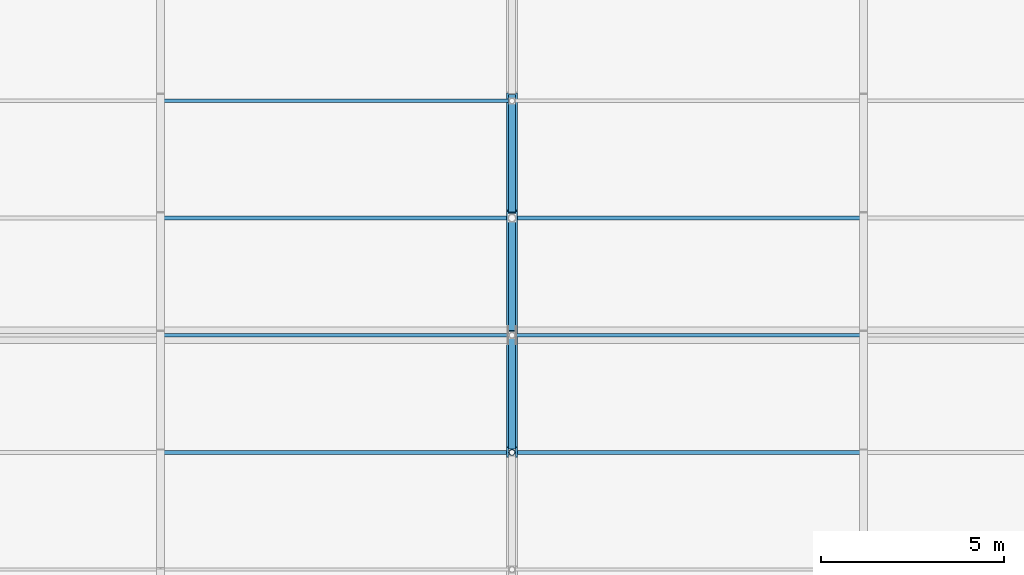
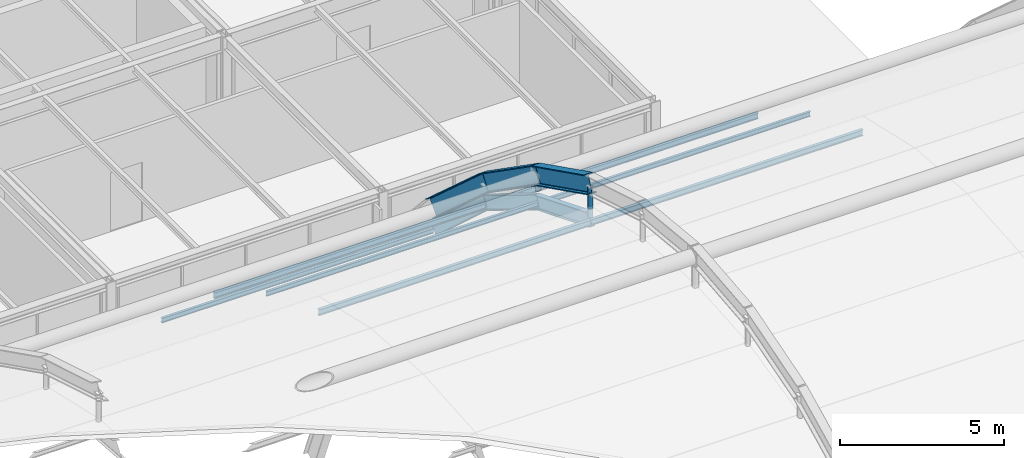
# One storey, part 81 of 126: 8 members, 6 beams.
"""IFC4 building model written with IfcOpenShell, lengths in metres."""

from ifc_helpers import new_model, si_unit, direction, frame, origin, origin_2d, place, context, subcontext, project, spatial, hollow_circle, i_section, extrude, material, material_profile, profile_set, type_object, element, save


model = new_model("IFC4")

# Units and contexts
model_context = context("Model", 3, precision=1e-05, world=origin(), true_north=direction((0.0, 1.0)))
body_context = subcontext(model_context, "Body", "Model", "MODEL_VIEW")
ifc_project = project(units=[si_unit("LENGTHUNIT", "METRE"), si_unit("AREAUNIT", "SQUARE_METRE"), si_unit("VOLUMEUNIT", "CUBIC_METRE"), si_unit("PLANEANGLEUNIT", "RADIAN"), si_unit("MASSUNIT", "GRAM", prefix="KILO")], contexts=[model_context])

# Site, building, storey
site_placement = place(None, origin())
site = spatial("IfcSite", under=ifc_project, at=site_placement, CompositionType="ELEMENT")
building_placement = place(site_placement, origin())
building = spatial("IfcBuilding", under=site, at=building_placement, Name="Coralgate Yard Interchange", CompositionType="ELEMENT")
storey_placement = place(building_placement, frame((0.0, 0.0, 10.5)))
storey = spatial("IfcBuildingStorey", under=building, at=storey_placement, Name="L02", CompositionType="ELEMENT", Elevation=10.5)

# Beams
ifc_material_1 = material(Name="Yellow-ochre weather-coated structural steel S355J2", Category="steel")
ifc_material_profile_1 = material_profile(ifc_material_1, i_section(OverallWidth=0.300048828125, OverallDepth=0.64990234375, WebThickness=0.01611328125, FlangeThickness=0.031005859375, FilletRadius=0.027099609375, at=origin_2d()), Name="HEB 650")
ifc_profile_set_1 = profile_set([ifc_material_profile_1], Name="Yellow-ochre weather-coated structural steel S355J2")
beam_type_1 = type_object("IfcBeamType", Name="BM-AR-1", PredefinedType="BEAM", material=ifc_profile_set_1)
beam_1_placement = place(storey_placement, frame((86.39990234375, 64.0, 11.922119140625), z_axis=(0.0, 0.894740986573, -0.446585453129), x_axis=(-1.0, 0.0, 0.0)))
element("IfcBeam", 1, at=beam_1_placement, inside=storey, type_object=beam_type_1, Name="Yellow-ochre overarching steel arch AR-3 chord 10", PredefinedType="BEAM", context=body_context, shape_type="SweptSolid", body=[
    extrude(i_section(OverallWidth=0.300048828125, OverallDepth=0.64990234375, WebThickness=0.01611328125, FlangeThickness=0.031005859375, FilletRadius=0.027099609375, at=origin_2d()), origin(), (0.0, 0.0, 1.0), 3.576416015625),
])
beam_2_placement = place(storey_placement, frame((86.39990234375, 67.199951171875, 10.324951171875), z_axis=(0.0, 0.819698802508, -0.572794791498), x_axis=(-1.0, 0.0, 0.0)))
element("IfcBeam", 2, at=beam_2_placement, inside=storey, type_object=beam_type_1, Name="Yellow-ochre overarching steel arch AR-3 chord 11", PredefinedType="BEAM", context=body_context, shape_type="SweptSolid", body=[
    extrude(i_section(OverallWidth=0.300048828125, OverallDepth=0.64990234375, WebThickness=0.01611328125, FlangeThickness=0.031005859375, FilletRadius=0.027099609375, at=origin_2d()), origin(), (0.0, 0.0, 1.0), 3.90380859375),
])
beam_3_placement = place(storey_placement, frame((86.39990234375, 70.39990234375, 8.0888671875), z_axis=(0.0, 0.743892086075, -0.668299756303), x_axis=(-1.0, 0.0, 0.0)))
element("IfcBeam", 3, at=beam_3_placement, inside=storey, type_object=beam_type_1, Name="Yellow-ochre overarching steel arch AR-3 chord 12", PredefinedType="BEAM", context=body_context, shape_type="SweptSolid", body=[
    extrude(i_section(OverallWidth=0.300048828125, OverallDepth=0.64990234375, WebThickness=0.01611328125, FlangeThickness=0.031005859375, FilletRadius=0.027099609375, at=origin_2d()), origin(), (0.0, 0.0, 1.0), 4.302001953125),
])
ifc_material_2 = material(Name="Weather-coated structural steel S355J2", Category="steel")
ifc_material_profile_2 = material_profile(ifc_material_2, i_section(OverallWidth=0.199951171875, OverallDepth=0.5, WebThickness=0.01025390625, FlangeThickness=0.01611328125, FilletRadius=0.02099609375, at=origin_2d()), Name="IPE 500")
ifc_profile_set_2 = profile_set([ifc_material_profile_2], Name="Weather-coated structural steel S355J2")
beam_type_2 = type_object("IfcBeamType", Name="BM-VR-2", PredefinedType="BEAM", material=ifc_profile_set_2)
beam_4_placement = place(storey_placement, frame((86.39990234375, 64.0, 10.60009765625), z_axis=(0.0, 0.927713244188, -0.373293633161), x_axis=(-1.0, 0.0, 0.0)))
element("IfcBeam", 4, at=beam_4_placement, inside=storey, type_object=beam_type_2, Name="Barrel-vault gridshell rib 6 seg 9", PredefinedType="BEAM", context=body_context, shape_type="SweptSolid", body=[
    extrude(i_section(OverallWidth=0.199951171875, OverallDepth=0.5, WebThickness=0.01025390625, FlangeThickness=0.01611328125, FilletRadius=0.02099609375, at=origin_2d()), origin(), (0.0, 0.0, 1.0), 3.44921875),
])
beam_5_placement = place(storey_placement, frame((86.39990234375, 67.199951171875, 9.3125), z_axis=(0.0, 0.852378727212, -0.522924951973), x_axis=(-1.0, 0.0, 0.0)))
element("IfcBeam", 5, at=beam_5_placement, inside=storey, type_object=beam_type_2, Name="Barrel-vault gridshell rib 6 seg 10", PredefinedType="BEAM", context=body_context, shape_type="SweptSolid", body=[
    extrude(i_section(OverallWidth=0.199951171875, OverallDepth=0.5, WebThickness=0.01025390625, FlangeThickness=0.01611328125, FilletRadius=0.02099609375, at=origin_2d()), origin(), (0.0, 0.0, 1.0), 3.754150390625),
])
beam_6_placement = place(storey_placement, frame((86.39990234375, 70.39990234375, 7.349365234375), z_axis=(0.0, 0.739500841068, -0.673155632867), x_axis=(-1.0, 0.0, 0.0)))
element("IfcBeam", 6, at=beam_6_placement, inside=storey, type_object=beam_type_2, Name="Barrel-vault gridshell rib 6 seg 11", PredefinedType="BEAM", context=body_context, shape_type="SweptSolid", body=[
    extrude(i_section(OverallWidth=0.199951171875, OverallDepth=0.5, WebThickness=0.01025390625, FlangeThickness=0.01611328125, FilletRadius=0.02099609375, at=origin_2d()), origin(), (0.0, 0.0, 1.0), 4.327392578125),
])

# Members
ifc_material_profile_3 = material_profile(ifc_material_1, hollow_circle(Radius=0.084228515625, WallThickness=0.008056640625, at=origin_2d()), Name="CHS 168.3x8")
ifc_profile_set_3 = profile_set([ifc_material_profile_3], Name="Yellow-ochre weather-coated structural steel S355J2")
member_type_1 = type_object("IfcMemberType", Name="MB-HG-2", PredefinedType="STRUT", material=ifc_profile_set_3)
member_placement = place(storey_placement, frame((86.39990234375, 64.0, 10.7001953125), z_axis=(0.0, 0.0, 1.0), x_axis=(1.0, 0.0, 0.0)))
element("IfcMember", 7, at=member_placement, inside=storey, type_object=member_type_1, Name="Arch AR-3 steel suspension hanger 8", PredefinedType="STRUT", context=body_context, shape_type="SweptSolid", body=[
    extrude(hollow_circle(Radius=0.084228515625, WallThickness=0.008056640625, at=origin_2d()), origin(), (0.0, 0.0, 1.0), 1.1220703125),
])
ifc_material_profile_4 = material_profile(ifc_material_2, i_section(OverallWidth=0.110107421875, OverallDepth=0.219970703125, WebThickness=0.005859375, FlangeThickness=0.00927734375, FilletRadius=0.011962890625, at=origin_2d()), Name="IPE 220")
ifc_profile_set_4 = profile_set([ifc_material_profile_4], Name="Weather-coated structural steel S355J2")
member_type_2 = type_object("IfcMemberType", Name="MB-PR-1", PredefinedType="PURLIN", material=ifc_profile_set_4)
for number, where, z_axis, x_axis, name in (
    (8, (76.802001953125, 64.0, 10.489990234375), (1.0, 0.0, 0.0), (0.0, 1.0, 0.0), "Barrel-vault gridshell purlin 5-9"),
    (9, (76.802001953125, 70.39990234375, 7.2392578125), (1.0, 0.0, 0.0), (0.0, 1.0, 0.0), "Barrel-vault gridshell purlin 5-11"),
    (10, (86.402099609375, 64.0, 10.489990234375), (1.0, 0.0, 0.0), (0.0, 1.0, 0.0), "Barrel-vault gridshell purlin 6-9"),
    (11, (86.402099609375, 70.39990234375, 7.2392578125), (1.0, 0.0, 0.0), (0.0, 1.0, 0.0), "Barrel-vault gridshell purlin 6-11"),
):
    element("IfcMember", number, at=place(storey_placement, frame(where, z_axis=z_axis, x_axis=x_axis)), inside=storey, type_object=member_type_2, Name=name, PredefinedType="PURLIN", context=body_context, shape_type="SweptSolid", body=[
        extrude(i_section(OverallWidth=0.110107421875, OverallDepth=0.219970703125, WebThickness=0.005859375, FlangeThickness=0.00927734375, FilletRadius=0.011962890625, at=origin_2d()), origin(), (0.0, 0.0, 1.0), 9.595947265625),
    ])
ifc_material_3 = material(Name="Off-white architectural structural steel S355J2", Category="steel")
ifc_material_profile_5 = material_profile(ifc_material_3, i_section(OverallWidth=0.091064453125, OverallDepth=0.179931640625, WebThickness=0.00537109375, FlangeThickness=0.008056640625, FilletRadius=0.009033203125, at=origin_2d()), Name="IPE 180")
ifc_profile_set_5 = profile_set([ifc_material_profile_5], Name="Off-white architectural structural steel S355J2")
member_type_3 = type_object("IfcMemberType", Name="MB-PR-2", PredefinedType="PURLIN", material=ifc_profile_set_5)
for number, where, z_axis, x_axis, name in (
    (12, (76.802001953125, 67.199951171875, 9.242431640625), (1.0, 0.0, 0.0), (0.0, 1.0, 0.0), "Barrel-vault gridshell purlin 5-10"),
    (13, (76.802001953125, 73.60009765625, 4.3662109375), (1.0, 0.0, 0.0), (0.0, 1.0, 0.0), "Barrel-vault gridshell purlin 5-12"),
    (14, (86.402099609375, 67.199951171875, 9.242431640625), (1.0, 0.0, 0.0), (0.0, 1.0, 0.0), "Barrel-vault gridshell purlin 6-10"),
):
    element("IfcMember", number, at=place(storey_placement, frame(where, z_axis=z_axis, x_axis=x_axis)), inside=storey, type_object=member_type_3, Name=name, PredefinedType="PURLIN", context=body_context, shape_type="SweptSolid", body=[
        extrude(i_section(OverallWidth=0.091064453125, OverallDepth=0.179931640625, WebThickness=0.00537109375, FlangeThickness=0.008056640625, FilletRadius=0.009033203125, at=origin_2d()), origin(), (0.0, 0.0, 1.0), 9.595947265625),
    ])

save(model, "model.ifc")
